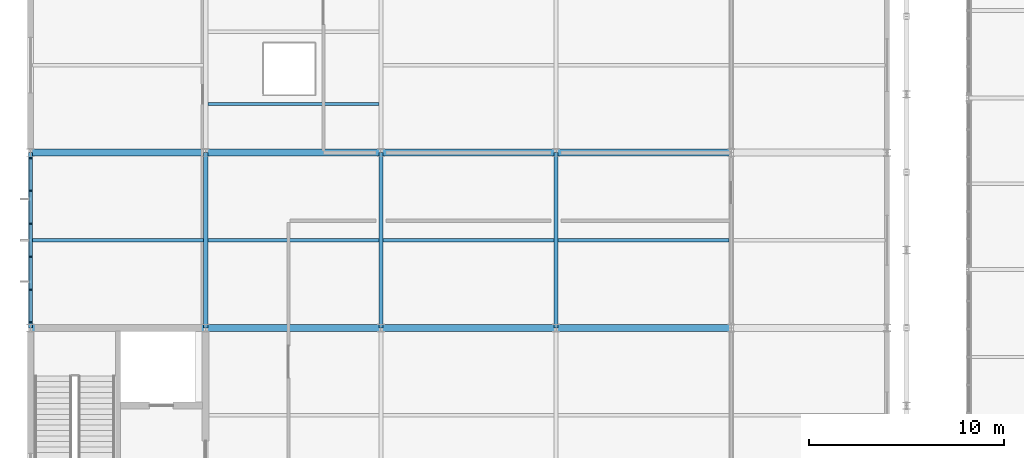
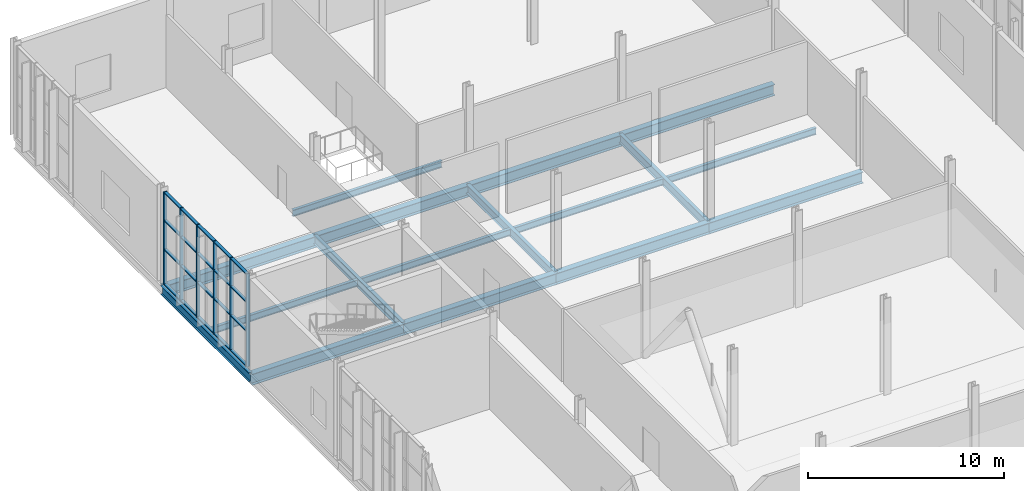
# One storey, part 55 of 159: 26 members, 17 beams, 1 element without a shape of its own.
"""IFC4 building model written with IfcOpenShell, lengths in metres."""

from ifc_helpers import new_model, si_unit, direction, frame, origin, origin_2d, place, context, subcontext, project, spatial, rectangle, i_section, extrude, material, layer, layer_set, material_profile, profile_set, type_object, element, aggregate, save


model = new_model("IFC4")

# Units and contexts
model_context = context("Model", 3, precision=1e-05, world=origin(), true_north=direction((0.0, 1.0)))
body_context = subcontext(model_context, "Body", "Model", "MODEL_VIEW")
ifc_project = project(units=[si_unit("LENGTHUNIT", "METRE"), si_unit("AREAUNIT", "SQUARE_METRE"), si_unit("VOLUMEUNIT", "CUBIC_METRE"), si_unit("PLANEANGLEUNIT", "RADIAN"), si_unit("MASSUNIT", "GRAM", prefix="KILO")], contexts=[model_context])

# Site, building, storey
site_placement = place(None, origin())
site = spatial("IfcSite", under=ifc_project, at=site_placement, CompositionType="ELEMENT")
building_placement = place(site_placement, origin())
building = spatial("IfcBuilding", under=site, at=building_placement, Name="Cazmaro Siding Exhibition Halls", CompositionType="ELEMENT")
storey_placement = place(building_placement, frame((0.0, 0.0, 6.0)))
storey = spatial("IfcBuildingStorey", under=building, at=storey_placement, Name="L01", CompositionType="ELEMENT", Elevation=6.0)

# Beams
ifc_material_1 = material(Name="Steel ASTM A992 Grade 50", Category="steel")
ifc_material_profile_1 = material_profile(ifc_material_1, i_section(OverallWidth=0.214111328125, OverallDepth=0.549072265625, WebThickness=0.014892578125, FlangeThickness=0.02392578125, at=origin_2d()), Name="W21X93")
ifc_profile_set_1 = profile_set([ifc_material_profile_1], Name="Steel ASTM A992 Grade 50")
beam_type_1 = type_object("IfcBeamType", Name="B-01", PredefinedType="BEAM", material=ifc_profile_set_1)
for number, where, z_axis, x_axis, name in (
    (1, (0.0, 100.0, -0.493896484375), (0.0, 1.0, 0.0), (-1.0, 0.0, 0.0), "Beam B-01 BM-1999"),
    (2, (9.0, 100.0, -0.493896484375), (0.0, 1.0, 0.0), (-1.0, 0.0, 0.0), "Beam B-01 BM-2007"),
    (3, (18.0, 100.0, -0.493896484375), (0.0, 1.0, 0.0), (-1.0, 0.0, 0.0), "Beam B-01 BM-2015"),
    (4, (27.0, 100.0, -0.493896484375), (0.0, 1.0, 0.0), (-1.0, 0.0, 0.0), "Beam B-01 BM-2023"),
):
    element("IfcBeam", number, at=place(storey_placement, frame(where, z_axis=z_axis, x_axis=x_axis)), inside=storey, type_object=beam_type_1, Name=name, PredefinedType="BEAM", context=body_context, shape_type="SweptSolid", body=[
        extrude(i_section(OverallWidth=0.214111328125, OverallDepth=0.549072265625, WebThickness=0.014892578125, FlangeThickness=0.02392578125, at=origin_2d()), origin(), (0.0, 0.0, 1.0), 9.0),
    ])

# Curtain wall, members
ifc_material_2 = material(Name="Anodized Bronze Aluminum and Solar-Control Low-E Glazing", Category="aluminium")
ifc_layer = layer(ifc_material_2, 0.199951171875)
ifc_layer_set = layer_set([ifc_layer], Name="Anodized Bronze Aluminum and Solar-Control Low-E Glazing")
curtain_wall_type = type_object("IfcCurtainWallType", Name="CWS-02", PredefinedType="USERDEFINED", material=ifc_layer_set)
curtain_wall_placement = place(storey_placement, origin())
curtain_wall = element("IfcCurtainWall", 5, at=curtain_wall_placement, inside=storey, type_object=curtain_wall_type, Name="Glazed Curtain Wall CWS-02 CW-234", ObjectType="GLAZED CURTAIN WALL", PredefinedType="USERDEFINED")
ifc_material_3 = material(Name="Anodized Bronze Extruded Aluminum", Category="aluminium")
ifc_material_profile_2 = material_profile(ifc_material_3, rectangle(XDim=0.199951171875, YDim=0.06494140625, at=origin_2d()), Name="CWM-02")
ifc_profile_set_2 = profile_set([ifc_material_profile_2], Name="Anodized Bronze Extruded Aluminum")
member_type_1 = type_object("IfcMemberType", Name="CWM-02", PredefinedType="MULLION", material=ifc_profile_set_2)
member_1_placement = place(storey_placement, frame((0.0, 108.714599609375, 0.0), z_axis=(0.0, 0.0, 1.0), x_axis=(1.0, 0.0, 0.0)))
member_1 = element("IfcMember", 6, at=member_1_placement, type_object=member_type_1, Name="CWS-02 mullion 1", PredefinedType="MULLION", context=body_context, shape_type="SweptSolid", body=[
    extrude(rectangle(XDim=0.199951171875, YDim=0.06494140625, at=origin_2d()), origin(), (0.0, 0.0, 1.0), 5.780029296875),
])
member_2_placement = place(storey_placement, frame((0.0, 107.048095703125, 0.0), z_axis=(0.0, 0.0, 1.0), x_axis=(1.0, 0.0, 0.0)))
member_2 = element("IfcMember", 7, at=member_2_placement, type_object=member_type_1, Name="CWS-02 mullion 2", PredefinedType="MULLION", context=body_context, shape_type="SweptSolid", body=[
    extrude(rectangle(XDim=0.199951171875, YDim=0.06494140625, at=origin_2d()), origin(), (0.0, 0.0, 1.0), 5.780029296875),
])
member_3_placement = place(storey_placement, frame((0.0, 105.349365234375, 0.0), z_axis=(0.0, 0.0, 1.0), x_axis=(1.0, 0.0, 0.0)))
member_3 = element("IfcMember", 8, at=member_3_placement, type_object=member_type_1, Name="CWS-02 mullion 3", PredefinedType="MULLION", context=body_context, shape_type="SweptSolid", body=[
    extrude(rectangle(XDim=0.199951171875, YDim=0.06494140625, at=origin_2d()), origin(), (0.0, 0.0, 1.0), 5.780029296875),
])
member_4_placement = place(storey_placement, frame((0.0, 103.650634765625, 0.0), z_axis=(0.0, 0.0, 1.0), x_axis=(1.0, 0.0, 0.0)))
member_4 = element("IfcMember", 9, at=member_4_placement, type_object=member_type_1, Name="CWS-02 mullion 4", PredefinedType="MULLION", context=body_context, shape_type="SweptSolid", body=[
    extrude(rectangle(XDim=0.199951171875, YDim=0.06494140625, at=origin_2d()), origin(), (0.0, 0.0, 1.0), 5.780029296875),
])
member_5_placement = place(storey_placement, frame((0.0, 101.951904296875, 0.0), z_axis=(0.0, 0.0, 1.0), x_axis=(1.0, 0.0, 0.0)))
member_5 = element("IfcMember", 10, at=member_5_placement, type_object=member_type_1, Name="CWS-02 mullion 5", PredefinedType="MULLION", context=body_context, shape_type="SweptSolid", body=[
    extrude(rectangle(XDim=0.199951171875, YDim=0.06494140625, at=origin_2d()), origin(), (0.0, 0.0, 1.0), 5.780029296875),
])
member_6_placement = place(storey_placement, frame((0.0, 100.285400390625, 0.0), z_axis=(0.0, 0.0, 1.0), x_axis=(1.0, 0.0, 0.0)))
member_6 = element("IfcMember", 11, at=member_6_placement, type_object=member_type_1, Name="CWS-02 mullion 6", PredefinedType="MULLION", context=body_context, shape_type="SweptSolid", body=[
    extrude(rectangle(XDim=0.199951171875, YDim=0.06494140625, at=origin_2d()), origin(), (0.0, 0.0, 1.0), 5.780029296875),
])
ifc_material_4 = material(Name="Anodized Bronze Extruded Aluminum", Category="aluminium")
ifc_material_profile_3 = material_profile(ifc_material_4, rectangle(XDim=0.179931640625, YDim=0.06494140625, at=origin_2d()), Name="CWT-02")
ifc_profile_set_3 = profile_set([ifc_material_profile_3], Name="Anodized Bronze Extruded Aluminum")
member_type_2 = type_object("IfcMemberType", Name="CWT-02", PredefinedType="MULLION", material=ifc_profile_set_3)
member_7_placement = place(storey_placement, frame((0.0, 108.681884765625, 0.032470703125), z_axis=(0.0, -1.0, 0.0), x_axis=(1.0, 0.0, 0.0)))
member_7 = element("IfcMember", 12, at=member_7_placement, type_object=member_type_2, Name="CWS-02 transom 1.1", ObjectType="TRANSOM", PredefinedType="USERDEFINED", context=body_context, shape_type="SweptSolid", body=[
    extrude(rectangle(XDim=0.179931640625, YDim=0.06494140625, at=origin_2d()), origin(), (0.0, 0.0, 1.0), 1.60107421875),
])
member_8_placement = place(storey_placement, frame((0.0, 108.681884765625, 2.199951171875), z_axis=(0.0, -1.0, 0.0), x_axis=(1.0, 0.0, 0.0)))
member_8 = element("IfcMember", 13, at=member_8_placement, type_object=member_type_2, Name="CWS-02 transom 1.2", ObjectType="TRANSOM", PredefinedType="USERDEFINED", context=body_context, shape_type="SweptSolid", body=[
    extrude(rectangle(XDim=0.179931640625, YDim=0.06494140625, at=origin_2d()), origin(), (0.0, 0.0, 1.0), 1.60107421875),
])
member_9_placement = place(storey_placement, frame((0.0, 108.681884765625, 4.0), z_axis=(0.0, -1.0, 0.0), x_axis=(1.0, 0.0, 0.0)))
member_9 = element("IfcMember", 14, at=member_9_placement, type_object=member_type_2, Name="CWS-02 transom 1.3", ObjectType="TRANSOM", PredefinedType="USERDEFINED", context=body_context, shape_type="SweptSolid", body=[
    extrude(rectangle(XDim=0.179931640625, YDim=0.06494140625, at=origin_2d()), origin(), (0.0, 0.0, 1.0), 1.60107421875),
])
member_10_placement = place(storey_placement, frame((0.0, 108.681884765625, 5.74755859375), z_axis=(0.0, -1.0, 0.0), x_axis=(1.0, 0.0, 0.0)))
member_10 = element("IfcMember", 15, at=member_10_placement, type_object=member_type_2, Name="CWS-02 transom 1.4", ObjectType="TRANSOM", PredefinedType="USERDEFINED", context=body_context, shape_type="SweptSolid", body=[
    extrude(rectangle(XDim=0.179931640625, YDim=0.06494140625, at=origin_2d()), origin(), (0.0, 0.0, 1.0), 1.60107421875),
])
member_11_placement = place(storey_placement, frame((0.0, 107.015625, 0.032470703125), z_axis=(0.0, -1.0, 0.0), x_axis=(1.0, 0.0, 0.0)))
member_11 = element("IfcMember", 16, at=member_11_placement, type_object=member_type_2, Name="CWS-02 transom 2.1", ObjectType="TRANSOM", PredefinedType="USERDEFINED", context=body_context, shape_type="SweptSolid", body=[
    extrude(rectangle(XDim=0.179931640625, YDim=0.06494140625, at=origin_2d()), origin(), (0.0, 0.0, 1.0), 1.6337890625),
])
member_12_placement = place(storey_placement, frame((0.0, 107.015625, 2.199951171875), z_axis=(0.0, -1.0, 0.0), x_axis=(1.0, 0.0, 0.0)))
member_12 = element("IfcMember", 17, at=member_12_placement, type_object=member_type_2, Name="CWS-02 transom 2.2", ObjectType="TRANSOM", PredefinedType="USERDEFINED", context=body_context, shape_type="SweptSolid", body=[
    extrude(rectangle(XDim=0.179931640625, YDim=0.06494140625, at=origin_2d()), origin(), (0.0, 0.0, 1.0), 1.6337890625),
])
member_13_placement = place(storey_placement, frame((0.0, 107.015625, 4.0), z_axis=(0.0, -1.0, 0.0), x_axis=(1.0, 0.0, 0.0)))
member_13 = element("IfcMember", 18, at=member_13_placement, type_object=member_type_2, Name="CWS-02 transom 2.3", ObjectType="TRANSOM", PredefinedType="USERDEFINED", context=body_context, shape_type="SweptSolid", body=[
    extrude(rectangle(XDim=0.179931640625, YDim=0.06494140625, at=origin_2d()), origin(), (0.0, 0.0, 1.0), 1.6337890625),
])
member_14_placement = place(storey_placement, frame((0.0, 107.015625, 5.74755859375), z_axis=(0.0, -1.0, 0.0), x_axis=(1.0, 0.0, 0.0)))
member_14 = element("IfcMember", 19, at=member_14_placement, type_object=member_type_2, Name="CWS-02 transom 2.4", ObjectType="TRANSOM", PredefinedType="USERDEFINED", context=body_context, shape_type="SweptSolid", body=[
    extrude(rectangle(XDim=0.179931640625, YDim=0.06494140625, at=origin_2d()), origin(), (0.0, 0.0, 1.0), 1.6337890625),
])
member_15_placement = place(storey_placement, frame((0.0, 105.31689453125, 0.032470703125), z_axis=(0.0, -1.0, 0.0), x_axis=(1.0, 0.0, 0.0)))
member_15 = element("IfcMember", 20, at=member_15_placement, type_object=member_type_2, Name="CWS-02 transom 3.1", ObjectType="TRANSOM", PredefinedType="USERDEFINED", context=body_context, shape_type="SweptSolid", body=[
    extrude(rectangle(XDim=0.179931640625, YDim=0.06494140625, at=origin_2d()), origin(), (0.0, 0.0, 1.0), 1.6337890625),
])
member_16_placement = place(storey_placement, frame((0.0, 105.31689453125, 2.199951171875), z_axis=(0.0, -1.0, 0.0), x_axis=(1.0, 0.0, 0.0)))
member_16 = element("IfcMember", 21, at=member_16_placement, type_object=member_type_2, Name="CWS-02 transom 3.2", ObjectType="TRANSOM", PredefinedType="USERDEFINED", context=body_context, shape_type="SweptSolid", body=[
    extrude(rectangle(XDim=0.179931640625, YDim=0.06494140625, at=origin_2d()), origin(), (0.0, 0.0, 1.0), 1.6337890625),
])
member_17_placement = place(storey_placement, frame((0.0, 105.31689453125, 4.0), z_axis=(0.0, -1.0, 0.0), x_axis=(1.0, 0.0, 0.0)))
member_17 = element("IfcMember", 22, at=member_17_placement, type_object=member_type_2, Name="CWS-02 transom 3.3", ObjectType="TRANSOM", PredefinedType="USERDEFINED", context=body_context, shape_type="SweptSolid", body=[
    extrude(rectangle(XDim=0.179931640625, YDim=0.06494140625, at=origin_2d()), origin(), (0.0, 0.0, 1.0), 1.6337890625),
])
member_18_placement = place(storey_placement, frame((0.0, 105.31689453125, 5.74755859375), z_axis=(0.0, -1.0, 0.0), x_axis=(1.0, 0.0, 0.0)))
member_18 = element("IfcMember", 23, at=member_18_placement, type_object=member_type_2, Name="CWS-02 transom 3.4", ObjectType="TRANSOM", PredefinedType="USERDEFINED", context=body_context, shape_type="SweptSolid", body=[
    extrude(rectangle(XDim=0.179931640625, YDim=0.06494140625, at=origin_2d()), origin(), (0.0, 0.0, 1.0), 1.6337890625),
])
member_19_placement = place(storey_placement, frame((0.0, 103.6181640625, 0.032470703125), z_axis=(0.0, -1.0, 0.0), x_axis=(1.0, 0.0, 0.0)))
member_19 = element("IfcMember", 24, at=member_19_placement, type_object=member_type_2, Name="CWS-02 transom 4.1", ObjectType="TRANSOM", PredefinedType="USERDEFINED", context=body_context, shape_type="SweptSolid", body=[
    extrude(rectangle(XDim=0.179931640625, YDim=0.06494140625, at=origin_2d()), origin(), (0.0, 0.0, 1.0), 1.6337890625),
])
member_20_placement = place(storey_placement, frame((0.0, 103.6181640625, 2.199951171875), z_axis=(0.0, -1.0, 0.0), x_axis=(1.0, 0.0, 0.0)))
member_20 = element("IfcMember", 25, at=member_20_placement, type_object=member_type_2, Name="CWS-02 transom 4.2", ObjectType="TRANSOM", PredefinedType="USERDEFINED", context=body_context, shape_type="SweptSolid", body=[
    extrude(rectangle(XDim=0.179931640625, YDim=0.06494140625, at=origin_2d()), origin(), (0.0, 0.0, 1.0), 1.6337890625),
])
member_21_placement = place(storey_placement, frame((0.0, 103.6181640625, 4.0), z_axis=(0.0, -1.0, 0.0), x_axis=(1.0, 0.0, 0.0)))
member_21 = element("IfcMember", 26, at=member_21_placement, type_object=member_type_2, Name="CWS-02 transom 4.3", ObjectType="TRANSOM", PredefinedType="USERDEFINED", context=body_context, shape_type="SweptSolid", body=[
    extrude(rectangle(XDim=0.179931640625, YDim=0.06494140625, at=origin_2d()), origin(), (0.0, 0.0, 1.0), 1.6337890625),
])
member_22_placement = place(storey_placement, frame((0.0, 103.6181640625, 5.74755859375), z_axis=(0.0, -1.0, 0.0), x_axis=(1.0, 0.0, 0.0)))
member_22 = element("IfcMember", 27, at=member_22_placement, type_object=member_type_2, Name="CWS-02 transom 4.4", ObjectType="TRANSOM", PredefinedType="USERDEFINED", context=body_context, shape_type="SweptSolid", body=[
    extrude(rectangle(XDim=0.179931640625, YDim=0.06494140625, at=origin_2d()), origin(), (0.0, 0.0, 1.0), 1.6337890625),
])
member_23_placement = place(storey_placement, frame((0.0, 101.919189453125, 0.032470703125), z_axis=(0.0, -1.0, 0.0), x_axis=(1.0, 0.0, 0.0)))
member_23 = element("IfcMember", 28, at=member_23_placement, type_object=member_type_2, Name="CWS-02 transom 5.1", ObjectType="TRANSOM", PredefinedType="USERDEFINED", context=body_context, shape_type="SweptSolid", body=[
    extrude(rectangle(XDim=0.179931640625, YDim=0.06494140625, at=origin_2d()), origin(), (0.0, 0.0, 1.0), 1.60107421875),
])
member_24_placement = place(storey_placement, frame((0.0, 101.919189453125, 2.199951171875), z_axis=(0.0, -1.0, 0.0), x_axis=(1.0, 0.0, 0.0)))
member_24 = element("IfcMember", 29, at=member_24_placement, type_object=member_type_2, Name="CWS-02 transom 5.2", ObjectType="TRANSOM", PredefinedType="USERDEFINED", context=body_context, shape_type="SweptSolid", body=[
    extrude(rectangle(XDim=0.179931640625, YDim=0.06494140625, at=origin_2d()), origin(), (0.0, 0.0, 1.0), 1.60107421875),
])
member_25_placement = place(storey_placement, frame((0.0, 101.919189453125, 4.0), z_axis=(0.0, -1.0, 0.0), x_axis=(1.0, 0.0, 0.0)))
member_25 = element("IfcMember", 30, at=member_25_placement, type_object=member_type_2, Name="CWS-02 transom 5.3", ObjectType="TRANSOM", PredefinedType="USERDEFINED", context=body_context, shape_type="SweptSolid", body=[
    extrude(rectangle(XDim=0.179931640625, YDim=0.06494140625, at=origin_2d()), origin(), (0.0, 0.0, 1.0), 1.60107421875),
])
member_26_placement = place(storey_placement, frame((0.0, 101.919189453125, 5.74755859375), z_axis=(0.0, -1.0, 0.0), x_axis=(1.0, 0.0, 0.0)))
member_26 = element("IfcMember", 31, at=member_26_placement, type_object=member_type_2, Name="CWS-02 transom 5.4", ObjectType="TRANSOM", PredefinedType="USERDEFINED", context=body_context, shape_type="SweptSolid", body=[
    extrude(rectangle(XDim=0.179931640625, YDim=0.06494140625, at=origin_2d()), origin(), (0.0, 0.0, 1.0), 1.60107421875),
])
aggregate(curtain_wall, [member_1, member_2, member_3, member_4, member_5, member_6, member_7, member_8, member_9, member_10, member_11, member_12, member_13, member_14, member_15, member_16, member_17, member_18, member_19, member_20, member_21, member_22, member_23, member_24, member_25, member_26])

# Beams
ifc_material_5 = material(Name="Steel ASTM A992 Grade 50", Category="steel")
ifc_material_profile_4 = material_profile(ifc_material_5, i_section(OverallWidth=0.35595703125, OverallDepth=0.696044921875, WebThickness=0.014892578125, FlangeThickness=0.02490234375, at=origin_2d()), Name="W27X146")
ifc_profile_set_4 = profile_set([ifc_material_profile_4], Name="Steel ASTM A992 Grade 50")
beam_type_2 = type_object("IfcBeamType", Name="G-05", PredefinedType="USERDEFINED", material=ifc_profile_set_4)
for number, where, z_axis, x_axis, name in (
    (32, (0.0, 100.0, -0.568115234375), (1.0, 0.0, 0.0), (0.0, 1.0, 0.0), "Beam G-05 BM-1932"),
    (33, (0.0, 109.0, -0.568115234375), (1.0, 0.0, 0.0), (0.0, 1.0, 0.0), "Beam G-05 BM-1933"),
    (34, (9.0, 100.0, -0.568115234375), (1.0, 0.0, 0.0), (0.0, 1.0, 0.0), "Beam G-05 BM-1947"),
    (35, (9.0, 109.0, -0.568115234375), (1.0, 0.0, 0.0), (0.0, 1.0, 0.0), "Beam G-05 BM-1948"),
    (36, (18.0, 100.0, -0.568115234375), (1.0, 0.0, 0.0), (0.0, 1.0, 0.0), "Beam G-05 BM-1965"),
    (37, (18.0, 109.0, -0.568115234375), (1.0, 0.0, 0.0), (0.0, 1.0, 0.0), "Beam G-05 BM-1966"),
    (38, (27.0, 100.0, -0.568115234375), (1.0, 0.0, 0.0), (0.0, 1.0, 0.0), "Beam G-05 BM-1982"),
    (39, (27.0, 109.0, -0.568115234375), (1.0, 0.0, 0.0), (0.0, 1.0, 0.0), "Beam G-05 BM-1983"),
):
    element("IfcBeam", number, at=place(storey_placement, frame(where, z_axis=z_axis, x_axis=x_axis)), inside=storey, type_object=beam_type_2, Name=name, ObjectType="GIRDER", PredefinedType="USERDEFINED", context=body_context, shape_type="SweptSolid", body=[
        extrude(i_section(OverallWidth=0.35595703125, OverallDepth=0.696044921875, WebThickness=0.014892578125, FlangeThickness=0.02490234375, at=origin_2d()), origin(), (0.0, 0.0, 1.0), 9.0),
    ])
ifc_material_6 = material(Name="Steel ASTM A992 Grade 50", Category="steel")
ifc_material_profile_5 = material_profile(ifc_material_6, i_section(OverallWidth=0.177978515625, OverallDepth=0.406005859375, WebThickness=0.008056640625, FlangeThickness=0.012939453125, at=origin_2d()), Name="W16X40")
ifc_profile_set_5 = profile_set([ifc_material_profile_5], Name="Steel ASTM A992 Grade 50")
beam_type_3 = type_object("IfcBeamType", Name="J-02", PredefinedType="JOIST", material=ifc_profile_set_5)
for number, where, z_axis, x_axis, name in (
    (40, (0.10693359375, 104.5, -0.423095703125), (1.0, 0.0, 0.0), (0.0, 1.0, 0.0), "Beam J-02 BM-1939"),
    (41, (9.10693359375, 104.5, -0.423095703125), (1.0, 0.0, 0.0), (0.0, 1.0, 0.0), "Beam J-02 BM-1956"),
    (42, (9.10693359375, 111.5, -0.423095703125), (1.0, 0.0, 0.0), (0.0, 1.0, 0.0), "Beam J-02 BM-1957"),
    (43, (18.10693359375, 104.5, -0.423095703125), (1.0, 0.0, 0.0), (0.0, 1.0, 0.0), "Beam J-02 BM-1974"),
    (44, (27.10693359375, 104.5, -0.423095703125), (1.0, 0.0, 0.0), (0.0, 1.0, 0.0), "Beam J-02 BM-1991"),
):
    element("IfcBeam", number, at=place(storey_placement, frame(where, z_axis=z_axis, x_axis=x_axis)), inside=storey, type_object=beam_type_3, Name=name, PredefinedType="JOIST", context=body_context, shape_type="SweptSolid", body=[
        extrude(i_section(OverallWidth=0.177978515625, OverallDepth=0.406005859375, WebThickness=0.008056640625, FlangeThickness=0.012939453125, at=origin_2d()), origin(), (0.0, 0.0, 1.0), 8.7861328125),
    ])

save(model, "model.ifc")
